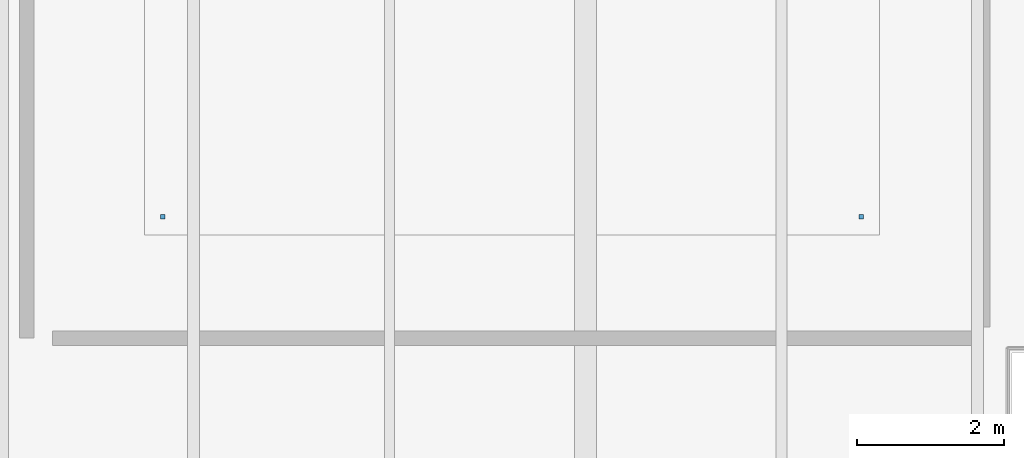
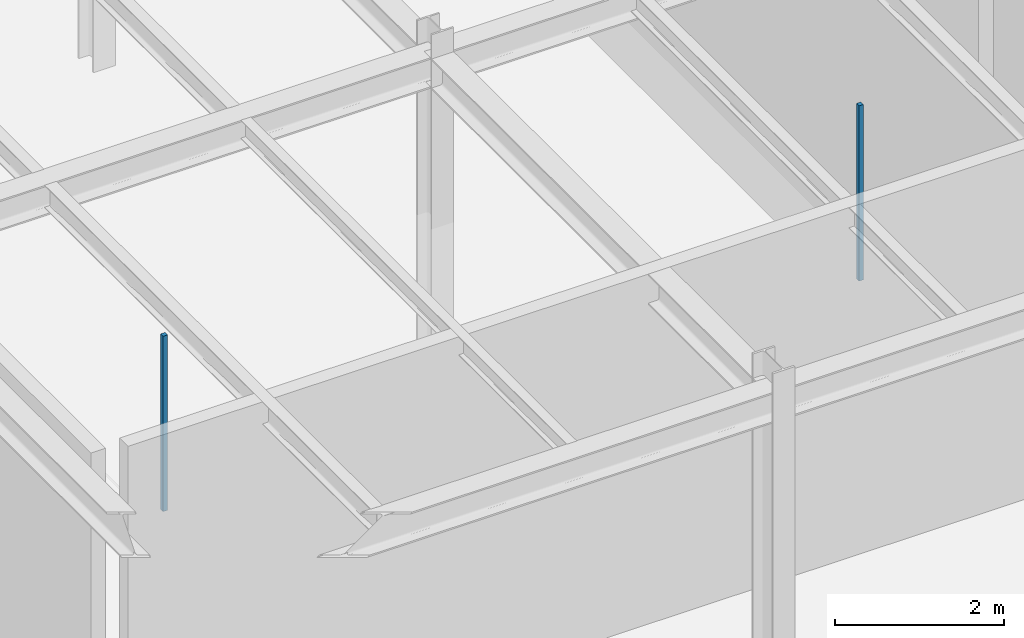
# One storey, part 102 of 129: 2 discrete accessories.
"""IFC4 building model written with IfcOpenShell, lengths in metres."""

from ifc_helpers import new_model, si_unit, direction, frame, origin, origin_2d, place, context, subcontext, project, spatial, rectangle, extrude, material, type_object, element, save


model = new_model("IFC4")

# Units and contexts
model_context = context("Model", 3, precision=1e-05, world=origin(), true_north=direction((0.0, 1.0)))
body_context = subcontext(model_context, "Body", "Model", "MODEL_VIEW")
ifc_project = project(units=[si_unit("LENGTHUNIT", "METRE"), si_unit("AREAUNIT", "SQUARE_METRE"), si_unit("VOLUMEUNIT", "CUBIC_METRE"), si_unit("PLANEANGLEUNIT", "RADIAN"), si_unit("MASSUNIT", "GRAM", prefix="KILO")], contexts=[model_context])

# Site, building, storey
site_placement = place(None, origin())
site = spatial("IfcSite", under=ifc_project, at=site_placement, CompositionType="ELEMENT")
building_placement = place(site_placement, origin())
building = spatial("IfcBuilding", under=site, at=building_placement, Name="Sundkrona Museum", CompositionType="ELEMENT")
storey_placement = place(building_placement, origin())
storey = spatial("IfcBuildingStorey", under=building, at=storey_placement, Name="L00", CompositionType="ELEMENT", Elevation=0.0)

# Discrete accessories
ifc_material = material(Name="Stainless Steel EN 1.4404 Cleat", Category="steel")
discrete_accessory_type = type_object("IfcDiscreteAccessoryType", Name="BRK-FIN-01", PredefinedType="BRACKET", material=ifc_material)
for number, where, z_axis, x_axis, name in (
    (1, (154.25, 50.449951171875, 2.5498046875), (0.0, 0.0, 1.0), (1.0, 0.0, 0.0), "L00 Art Registrar Unpacking Room Ceiling Hanger 1"),
    (2, (163.75, 50.449951171875, 2.5498046875), (0.0, 0.0, 1.0), (1.0, 0.0, 0.0), "L00 Art Registrar Unpacking Room Ceiling Hanger 2"),
):
    element("IfcDiscreteAccessory", number, at=place(storey_placement, frame(where, z_axis=z_axis, x_axis=x_axis)), inside=storey, type_object=discrete_accessory_type, Name=name, PredefinedType="BRACKET", context=body_context, shape_type="SweptSolid", body=[
        extrude(rectangle(XDim=0.06005859375, YDim=0.06005859375, at=origin_2d()), origin(), (0.0, 0.0, 1.0), 2.530029296875),
    ])

save(model, "model.ifc")
